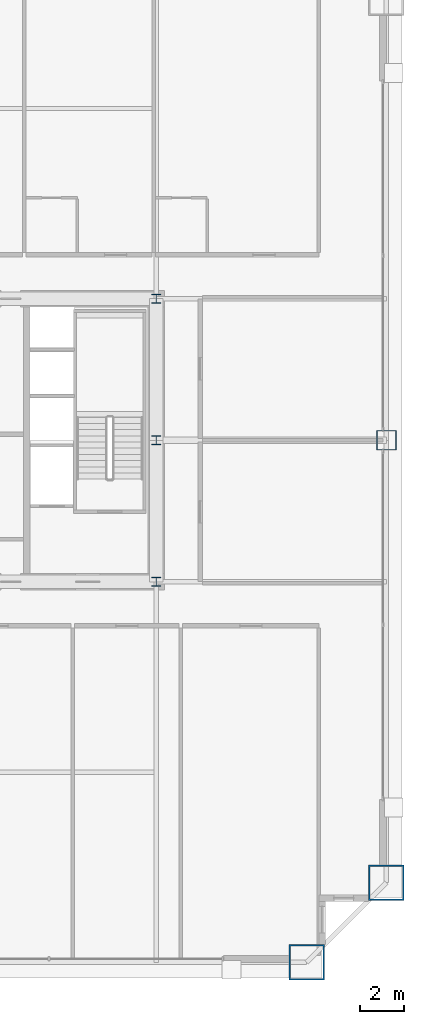
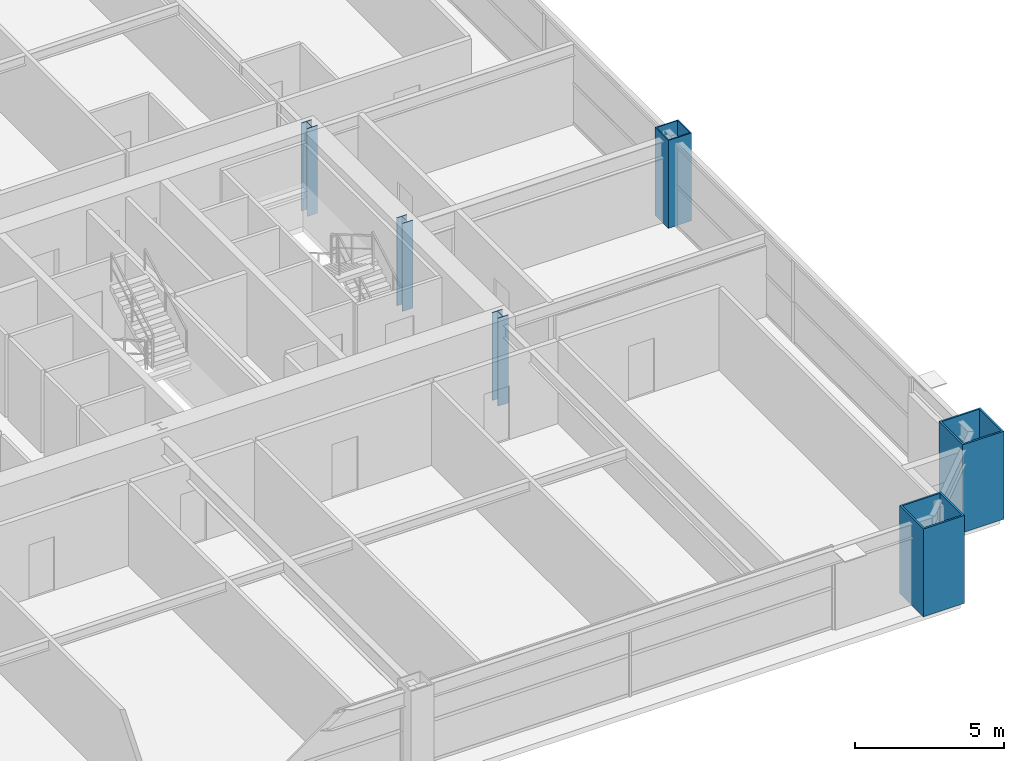
# One storey, part 2 of 39: 6 columns.
"""IFC4 building model written with IfcOpenShell, lengths in metres."""

from ifc_helpers import new_model, si_unit, direction, frame, origin, origin_2d, place, context, subcontext, project, spatial, hollow_rectangle, i_section, extrude, source, transform, mapped, material, material_profile, profile_set, type_object, element, save


model = new_model("IFC4")

# Units and contexts
model_context = context("Model", 3, precision=1e-05, world=origin(), true_north=direction((0.0, 1.0)))
body_context = subcontext(model_context, "Body", "Model", "MODEL_VIEW")
ifc_project = project(units=[si_unit("LENGTHUNIT", "METRE"), si_unit("AREAUNIT", "SQUARE_METRE"), si_unit("VOLUMEUNIT", "CUBIC_METRE"), si_unit("PLANEANGLEUNIT", "RADIAN"), si_unit("MASSUNIT", "GRAM", prefix="KILO"), si_unit("THERMODYNAMICTEMPERATUREUNIT", "KELVIN"), si_unit("POWERUNIT", "WATT")], contexts=[model_context])

# Site, building, storey
site_placement = place(None, origin())
site = spatial("IfcSite", under=ifc_project, at=site_placement, CompositionType="ELEMENT")
building_placement = place(site_placement, origin())
building = spatial("IfcBuilding", under=site, at=building_placement, Name="Yuzanri Waterfront Tower", CompositionType="ELEMENT")
storey_placement = place(building_placement, frame((0.0, 0.0, 156.0)))
storey = spatial("IfcBuildingStorey", under=building, at=storey_placement, Name="L41", CompositionType="ELEMENT", Elevation=156.0)

# Columns
ifc_material_1 = material(Name="Steel Q390GJC", Category="steel")
ifc_material_profile_1 = material_profile(ifc_material_1, hollow_rectangle(XDim=0.89990234375, YDim=0.89990234375, WallThickness=0.0419921875, at=origin_2d()), Name="RHS 900x900x42")
ifc_profile_set_1 = profile_set([ifc_material_profile_1], Name="Steel Q390GJC")
column_type_1 = type_object("IfcColumnType", Name="Frame Column Q390GJC RHS 900x900x42", PredefinedType="COLUMN", material=ifc_profile_set_1)
shared_shape_1 = source(origin(), body_context, "Body", "SweptSolid", [
    extrude(hollow_rectangle(XDim=0.89990234375, YDim=0.89990234375, WallThickness=0.0419921875, at=origin_2d()), origin(), (0.0, 0.0, 1.0), 3.60009765625),
])
column_placement = place(storey_placement, frame((60.60009765625, 25.800048828125, 0.0), z_axis=(0.0, 0.0, 1.0), x_axis=(1.0, 0.0, 0.0)))
element("IfcColumn", 1, at=column_placement, inside=storey, type_object=column_type_1, Name="L41 Perimeter Frame Column E2", PredefinedType="COLUMN", context=body_context, shape_type="MappedRepresentation", body=[
    mapped(shared_shape_1, transform((0.0, 0.0, 0.0), scale=1.0)),
])
ifc_material_2 = material(Name="Steel Q420GJC", Category="steel")
ifc_material_profile_2 = material_profile(ifc_material_2, hollow_rectangle(XDim=1.60009765625, YDim=1.60009765625, WallThickness=0.070068359375, at=origin_2d()), Name="RHS 1600x1600x70")
ifc_profile_set_2 = profile_set([ifc_material_profile_2], Name="Steel Q420GJC")
column_type_2 = type_object("IfcColumnType", Name="Mega Column Q420GJC RHS 1600x1600x70", PredefinedType="COLUMN", material=ifc_profile_set_2)
shared_shape_2 = source(origin(), body_context, "Body", "SweptSolid", [
    extrude(hollow_rectangle(XDim=1.60009765625, YDim=1.60009765625, WallThickness=0.070068359375, at=origin_2d()), origin(), (0.0, 0.0, 1.0), 3.60009765625),
])
for number, where, z_axis, x_axis, name in (
    (2, (57.0, 2.199951171875, 0.0), (0.0, 0.0, 1.0), (1.0, 0.0, 0.0), "L41 Perimeter Mega Column S3"),
    (3, (60.60009765625, 5.800048828125, 0.0), (0.0, 0.0, 1.0), (1.0, 0.0, 0.0), "L41 Perimeter Mega Column E1"),
):
    element("IfcColumn", number, at=place(storey_placement, frame(where, z_axis=z_axis, x_axis=x_axis)), inside=storey, type_object=column_type_2, Name=name, PredefinedType="COLUMN", context=body_context, shape_type="MappedRepresentation", body=[
        mapped(shared_shape_2, transform((0.0, 0.0, 0.0), scale=1.0)),
    ])
ifc_material_3 = material(Name="Steel Q355B", Category="steel")
ifc_material_profile_3 = material_profile(ifc_material_3, i_section(OverallWidth=0.39990234375, OverallDepth=0.39990234375, WebThickness=0.012939453125, FlangeThickness=0.02099609375, at=origin_2d()), Name="HW 400x400x13x21")
ifc_profile_set_3 = profile_set([ifc_material_profile_3], Name="Steel Q355B")
column_type_3 = type_object("IfcColumnType", Name="Core Post Q355B HW 400x400x13x21", PredefinedType="COLUMN", material=ifc_profile_set_3)
shared_shape_3 = source(origin(), body_context, "Body", "SweptSolid", [
    extrude(i_section(OverallWidth=0.39990234375, OverallDepth=0.39990234375, WebThickness=0.012939453125, FlangeThickness=0.02099609375, at=origin_2d()), origin(), (0.0, 0.0, 1.0), 3.60009765625),
])
for number, where, z_axis, x_axis, name in (
    (4, (50.199951171875, 19.39990234375, 0.0), (0.0, 0.0, 1.0), (1.0, 0.0, 0.0), "L41 Core Boundary Column CP3"),
    (5, (50.199951171875, 25.800048828125, 0.0), (0.0, 0.0, 1.0), (1.0, 0.0, 0.0), "L41 Core Boundary Column CP5"),
    (6, (50.199951171875, 32.199951171875, 0.0), (0.0, 0.0, 1.0), (1.0, 0.0, 0.0), "L41 Core Boundary Column CP8"),
):
    element("IfcColumn", number, at=place(storey_placement, frame(where, z_axis=z_axis, x_axis=x_axis)), inside=storey, type_object=column_type_3, Name=name, PredefinedType="COLUMN", context=body_context, shape_type="MappedRepresentation", body=[
        mapped(shared_shape_3, transform((0.0, 0.0, 0.0), scale=1.0)),
    ])

save(model, "model.ifc")
